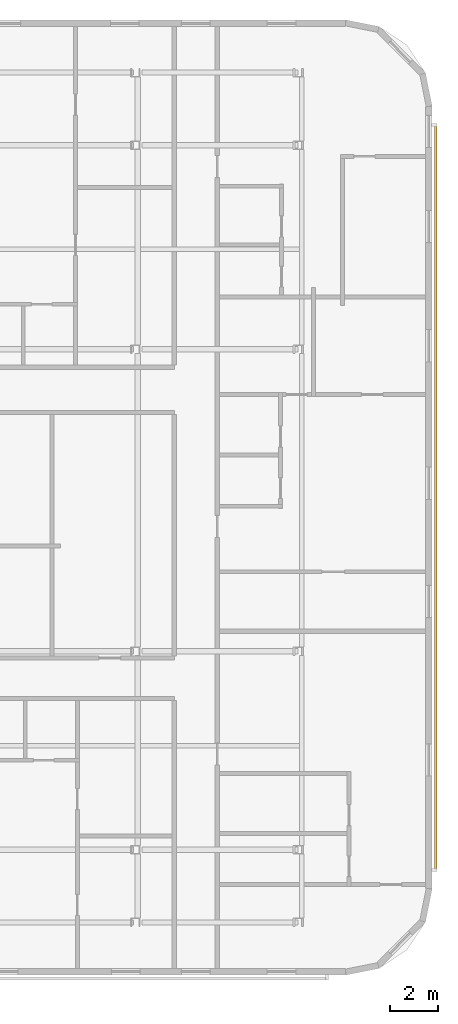
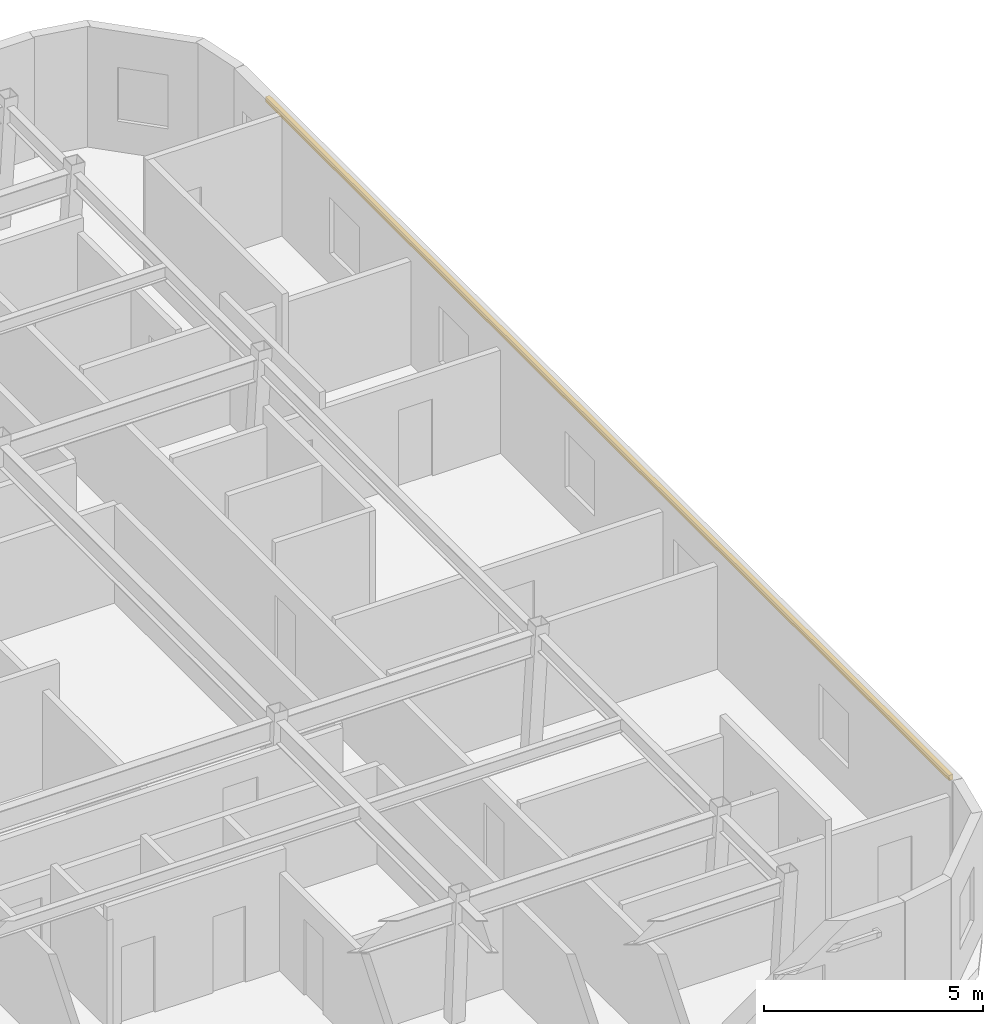
# One storey, part 10 of 10: 1 shading device.
"""IFC4 building model written with IfcOpenShell, lengths in metres."""

import ifcopenshell
import ifcopenshell.guid

model = None  # the IFC model being written
_history = None  # IfcOwnerHistory: only IFC2X3 demands one
_inside = {}  # id of a spatial element -> (the spatial element, [elements in it])
_under = {}  # id of a project, library or spatial element -> (it, [spatial elements below it])
_declared = {}  # id of a project -> (the project, [libraries it declares])
_typed = {}  # id of a type object -> (the type object, [elements of that type])
_made_of = {}  # id of a material, layer set ... -> (it, [elements and type objects made of it])


def new_model(schema):
    """Start an empty IFC model of exactly this schema.

    Asked for "IFC4X3", IfcOpenShell would pick the latest addendum, in which some entities
    have other attributes; the version numbers below select the first issue.
    IFC2X3 requires an IfcOwnerHistory on every rooted entity: one is made here for all.
    """
    global model, _history
    if schema == "IFC4X3":
        model = ifcopenshell.file(schema_version=(4, 3, 0, 0))
    else:
        model = ifcopenshell.file(schema=schema)
    _inside.clear()
    _under.clear()
    _declared.clear()
    _typed.clear()
    _made_of.clear()
    _history = None
    if model.schema == "IFC2X3":
        org = make("IfcOrganization", Name="unknown")
        user = make(
            "IfcPersonAndOrganization",
            ThePerson=make("IfcPerson", FamilyName="unknown"),
            TheOrganization=org,
        )
        app = make(
            "IfcApplication",
            ApplicationDeveloper=org,
            Version="unknown",
            ApplicationFullName="unknown",
            ApplicationIdentifier="unknown",
        )
        _history = make(
            "IfcOwnerHistory",
            OwningUser=user,
            OwningApplication=app,
            ChangeAction="ADDED",
            CreationDate=0,
        )
    return model


def make(cls, **values):
    """One entity of the class cls with the attributes given. An attribute that is None is left unset."""
    return model.create_entity(
        cls, **{name: value for name, value in values.items() if value is not None}
    )


def rooted(cls, **values):
    """An entity with a GlobalId (a new one), such as an element, a storey or a relation."""
    return make(cls, GlobalId=ifcopenshell.guid.new(), OwnerHistory=_history, **values)


def si_unit(unit_type, name, prefix=None):
    """IfcSIUnit, for example si_unit("LENGTHUNIT", "METRE", prefix="MILLI")."""
    return make("IfcSIUnit", UnitType=unit_type, Prefix=prefix, Name=name)


def assignment(units):
    """IfcUnitAssignment: the units of a project."""
    return None if units is None else make("IfcUnitAssignment", Units=units)


def point(xyz):
    """IfcCartesianPoint."""
    return None if xyz is None else make("IfcCartesianPoint", Coordinates=xyz)


def direction(xyz):
    """IfcDirection."""
    return None if xyz is None else make("IfcDirection", DirectionRatios=xyz)


def frame(location, z_axis=None, x_axis=None):
    """IfcAxis2Placement3D, a coordinate frame: its origin and axes. An axis left out is left unset."""
    return make(
        "IfcAxis2Placement3D",
        Location=point(location),
        Axis=direction(z_axis),
        RefDirection=direction(x_axis),
    )


def frame_2d(location, x_axis=None):
    """IfcAxis2Placement2D, a coordinate frame in the plane: its origin and x axis."""
    return make(
        "IfcAxis2Placement2D", Location=point(location), RefDirection=direction(x_axis)
    )


def origin():
    """The frame at (0, 0, 0) with its axes left unset."""
    return frame((0.0, 0.0, 0.0))


def origin_2d():
    """The frame at (0, 0) in the plane with its x axis left unset."""
    return frame_2d((0.0, 0.0))


def place(relative_to, where):
    """IfcLocalPlacement: puts the frame where relative to a parent placement (None: the world)."""
    return make(
        "IfcLocalPlacement", PlacementRelTo=relative_to, RelativePlacement=where
    )


def context(
    kind, dimensions, precision=None, world=None, true_north=None, identifier=None
):
    """IfcGeometricRepresentationContext, for example the 3D "Model" context."""
    return make(
        "IfcGeometricRepresentationContext",
        ContextIdentifier=identifier,
        ContextType=kind,
        CoordinateSpaceDimension=dimensions,
        Precision=precision,
        WorldCoordinateSystem=world,
        TrueNorth=true_north,
    )


def subcontext(parent, identifier, kind, view, scale=None):
    """IfcGeometricRepresentationSubContext, for example "Body" below "Model"."""
    return make(
        "IfcGeometricRepresentationSubContext",
        ContextIdentifier=identifier,
        ContextType=kind,
        ParentContext=parent,
        TargetScale=scale,
        TargetView=view,
    )


def project(units=None, contexts=None):
    """IfcProject with its units and contexts."""
    return rooted(
        "IfcProject",
        Name="project",
        RepresentationContexts=contexts,
        UnitsInContext=assignment(units),
    )


def spatial(cls, under=None, at=None, **own):
    """A site, building, storey or space (cls), placed at a placement, below another one or the project."""
    s = rooted(cls, ObjectPlacement=at, **own)
    if under is not None:
        _under.setdefault(under.id(), (under, []))[1].append(s)
    return s


def profile(cls, at=None, kind="AREA", **sizes):
    """A parametric profile (cls). Its sizes go by their IFC names, for example OverallWidth=200.0."""
    return make(cls, ProfileType=kind, Position=at, **sizes)


def rectangle(**sizes):
    """IfcRectangleProfileDef."""
    return profile("IfcRectangleProfileDef", **sizes)


def extrude(swept, where, along, depth):
    """IfcExtrudedAreaSolid: the profile swept, set in the frame where, extruded along a direction by depth."""
    return make(
        "IfcExtrudedAreaSolid",
        SweptArea=swept,
        Position=where,
        ExtrudedDirection=direction(along),
        Depth=depth,
    )


def shape(context_of_items, identifier, shape_type, items):
    """IfcShapeRepresentation: the items that make up one representation, for example the "Body"."""
    return make(
        "IfcShapeRepresentation",
        ContextOfItems=context_of_items,
        RepresentationIdentifier=identifier,
        RepresentationType=shape_type,
        Items=items,
    )


def material(Name=None, Category=None):
    """IfcMaterial."""
    return make("IfcMaterial", Name=Name, Category=Category)


def material_profile(
    of_material, cross_section, Name=None, Category=None, Priority=None
):
    """IfcMaterialProfile: a cross section and its material."""
    return make(
        "IfcMaterialProfile",
        Name=Name,
        Material=of_material,
        Profile=cross_section,
        Priority=Priority,
        Category=Category,
    )


def profile_set(profiles, Name=None, composite=None):
    """IfcMaterialProfileSet."""
    return make(
        "IfcMaterialProfileSet",
        Name=Name,
        MaterialProfiles=profiles,
        CompositeProfile=composite,
    )


def made_of(thing, what):
    """Note that an element or type object is made of a material, layer set ...; save() writes the relation."""
    if what is not None:
        _made_of.setdefault(what.id(), (what, []))[1].append(thing)
    return thing


def type_object(cls, material=None, **own):
    """A type object (cls), such as IfcWallType, which elements share."""
    return made_of(rooted(cls, **own), material)


def element(
    cls,
    number,
    at=None,
    inside=None,
    cuts=None,
    type_object=None,
    material=None,
    context=None,
    identifier="Body",
    shape_type=None,
    held_by="IfcProductDefinitionShape",
    body=None,
    shapes=None,
    **own,
):
    """One element of the class cls, such as IfcWall. Its Tag is "e" and its number.

    at: its placement. inside: the storey or other place that contains it. cuts: it is an
    opening in that element (IfcRelVoidsElement). A single representation is given by context,
    identifier, shape_type and body (its items); several are given by shapes. held_by: the class
    of the entity that holds the representations. save() writes the other relations.
    """
    e = rooted(cls, Tag="e%d" % number, ObjectPlacement=at, **own)
    if body is not None:
        shapes = [shape(context, identifier, shape_type, body)]
    if shapes is not None:
        e.Representation = make(held_by, Representations=shapes)
    if inside is not None:
        _inside.setdefault(inside.id(), (inside, []))[1].append(e)
    if cuts is not None:
        rooted(
            "IfcRelVoidsElement", RelatingBuildingElement=cuts, RelatedOpeningElement=e
        )
    if type_object is not None:
        _typed.setdefault(type_object.id(), (type_object, []))[1].append(e)
    return made_of(e, material)


def aggregate(whole, parts):
    """IfcRelAggregates: a whole, such as a stair, and the parts it consists of."""
    return rooted("IfcRelAggregates", RelatingObject=whole, RelatedObjects=parts)


def save(model, path):
    """Write the relations noted so far, then the file.

    IfcRelAggregates (storeys below a building ...), IfcRelContainedInSpatialStructure (elements
    in a storey), IfcRelDefinesByType, IfcRelAssociatesMaterial and IfcRelDeclares: one each for
    every whole, place, type object, material and project.
    """
    for whole, parts in _under.values():
        aggregate(whole, parts)
    for where, things in _inside.values():
        rooted(
            "IfcRelContainedInSpatialStructure",
            RelatedElements=things,
            RelatingStructure=where,
        )
    for kind, things in _typed.values():
        rooted("IfcRelDefinesByType", RelatedObjects=things, RelatingType=kind)
    for what, things in _made_of.values():
        rooted("IfcRelAssociatesMaterial", RelatedObjects=things, RelatingMaterial=what)
    for by, libraries in _declared.values():
        rooted("IfcRelDeclares", RelatingContext=by, RelatedDefinitions=libraries)
    model.write(path)


model = new_model("IFC4")

# Units and contexts
model_context = context("Model", 3, precision=1e-05, world=origin(), true_north=direction((0.0, 1.0)))
body_context = subcontext(model_context, "Body", "Model", "MODEL_VIEW")
ifc_project = project(units=[si_unit("LENGTHUNIT", "METRE"), si_unit("AREAUNIT", "SQUARE_METRE"), si_unit("VOLUMEUNIT", "CUBIC_METRE"), si_unit("PLANEANGLEUNIT", "RADIAN"), si_unit("MASSUNIT", "GRAM", prefix="KILO")], contexts=[model_context])

# Site, building, storey
site_placement = place(None, origin())
site = spatial("IfcSite", under=ifc_project, at=site_placement, CompositionType="ELEMENT")
building_placement = place(site_placement, origin())
building = spatial("IfcBuilding", under=site, at=building_placement, Name="Ochreholt Gables", CompositionType="ELEMENT")
storey_placement = place(building_placement, frame((0.0, 0.0, 177.60009765625)))
storey = spatial("IfcBuildingStorey", under=building, at=storey_placement, Name="L46", CompositionType="ELEMENT", Elevation=177.60009765625)

# Shading device
ifc_material = material(Name="Warm Ochre Glazed Terracotta Baguette", Category="masonry")
ifc_material_profile = material_profile(ifc_material, rectangle(XDim=0.110107421875, YDim=0.14990234375, at=origin_2d()), Name="TCBAG110X150")
ifc_profile_set = profile_set([ifc_material_profile], Name="Warm Ochre Glazed Terracotta Baguette")
shading_device_type = type_object("IfcShadingDeviceType", Name="SHD-BAGUETTE", PredefinedType="USERDEFINED", material=ifc_profile_set)
shading_device_placement = place(storey_placement, frame((58.75, 8.39990234375, 2.83984375), z_axis=(0.0, 1.0, 0.0), x_axis=(-1.0, 0.0, 0.0)))
element("IfcShadingDevice", 1, at=shading_device_placement, inside=storey, type_object=shading_device_type, Name="L46 Terracotta Baguette Screen E-1", ObjectType="BAGUETTE", PredefinedType="USERDEFINED", context=body_context, shape_type="SweptSolid", body=[
    extrude(rectangle(XDim=0.110107421875, YDim=0.14990234375, at=origin_2d()), origin(), (0.0, 0.0, 1.0), 31.2001953125),
])

save(model, "model.ifc")
